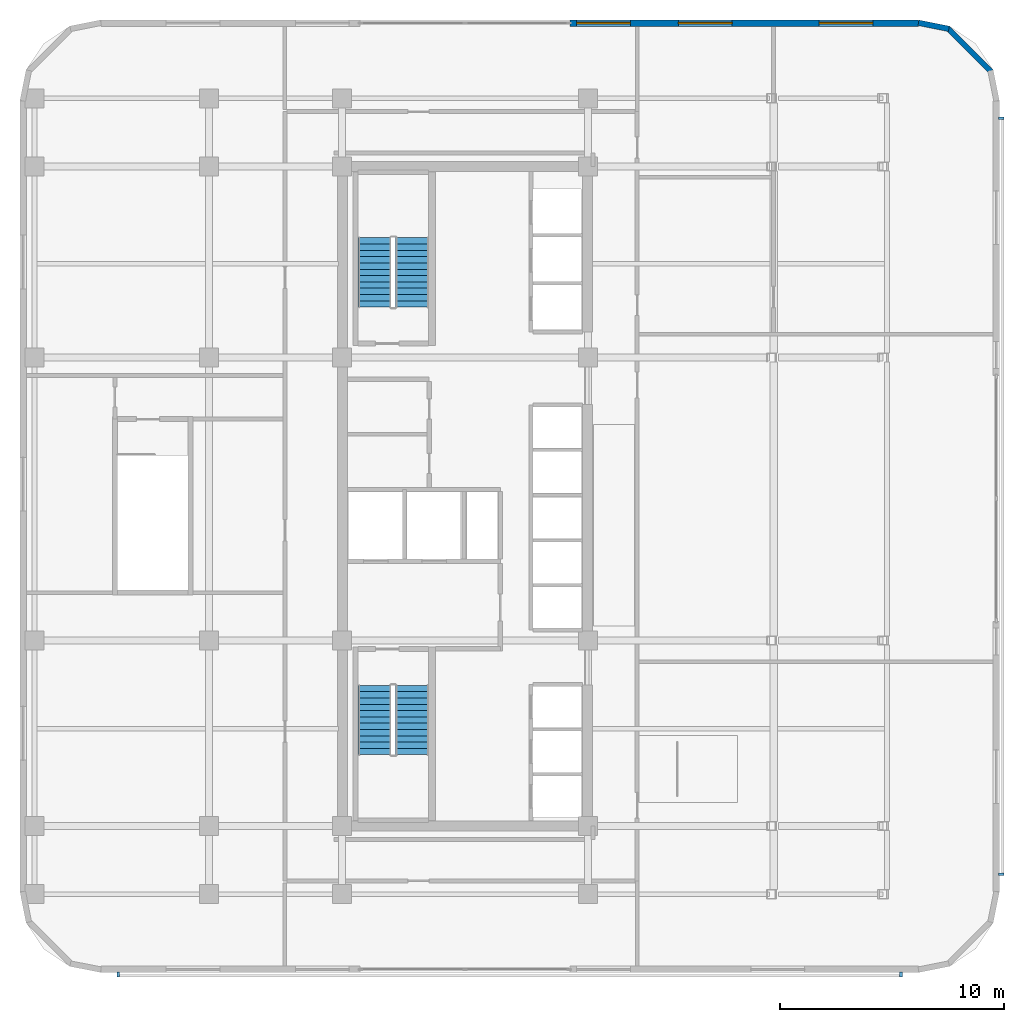
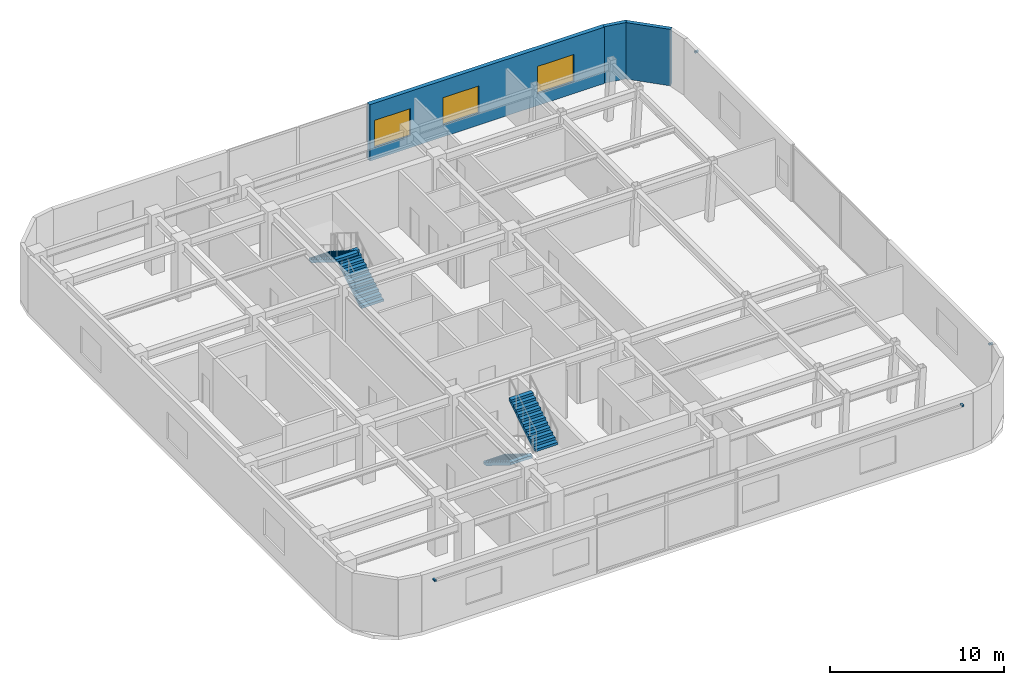
# One storey, part 9 of 13: 4 discrete accessories, 4 stair flights, 3 walls, 3 windows, 3 openings, 2 elements without a shape of their own.
"""IFC4 building model written with IfcOpenShell, lengths in metres."""

from ifc_helpers import new_model, si_unit, direction, frame, frame_2d, origin, origin_2d, place, context, subcontext, project, spatial, polyline, rectangle, outline, extrude, material, layer, layer_set, type_object, element, fill, aggregate, save


model = new_model("IFC4")

# Units and contexts
model_context = context("Model", 3, precision=1e-05, world=origin(), true_north=direction((0.0, 1.0)))
body_context = subcontext(model_context, "Body", "Model", "MODEL_VIEW")
ifc_project = project(units=[si_unit("LENGTHUNIT", "METRE"), si_unit("AREAUNIT", "SQUARE_METRE"), si_unit("VOLUMEUNIT", "CUBIC_METRE"), si_unit("PLANEANGLEUNIT", "RADIAN"), si_unit("MASSUNIT", "GRAM", prefix="KILO")], contexts=[model_context])

# Site, building, storey
site_placement = place(None, origin())
site = spatial("IfcSite", under=ifc_project, at=site_placement, CompositionType="ELEMENT")
building_placement = place(site_placement, origin())
building = spatial("IfcBuilding", under=site, at=building_placement, Name="Ochreholt Gables", CompositionType="ELEMENT")
storey_placement = place(building_placement, frame((0.0, 0.0, 98.39990234375)))
storey = spatial("IfcBuildingStorey", under=building, at=storey_placement, Name="L25", CompositionType="ELEMENT", Elevation=98.39990234375)

# Wall, openings, windows
ifc_material_1 = material(Name="Precast concrete 40 MPa", Category="concrete")
ifc_layer_1 = layer(ifc_material_1, 0.280029296875, Name="Precast concrete 40 MPa")
ifc_layer_set_1 = layer_set([ifc_layer_1], Name="Precast concrete 40 MPa")
wall_type_1 = type_object("IfcWallType", Name="WALL-EXT-280", PredefinedType="SOLIDWALL", material=ifc_layer_set_1)
wall_1_placement = place(storey_placement, frame((49.97998046875, 45.159912109375, 0.0), z_axis=(0.0, 0.0, 1.0), x_axis=(-1.0, 0.0, 0.0)))
wall_1 = element("IfcWall", 1, at=wall_1_placement, inside=storey, type_object=wall_type_1, Name="L25 North Facade Wall 1", PredefinedType="SOLIDWALL", context=body_context, shape_type="SweptSolid", body=[
    extrude(rectangle(XDim=15.580078125, YDim=0.280029296875, at=frame_2d((7.7900390625, 0.0))), origin(), (0.0, 0.0, 1.0), 3.960205078125),
])
opening_1_placement = place(wall_1_placement, frame((12.8798828125, 0.0, 0.85009765625)))
opening_1 = element("IfcOpeningElement", 2, at=opening_1_placement, cuts=wall_1, Name="Opening WN-5", PredefinedType="OPENING", context=body_context, shape_type="SweptSolid", body=[
    extrude(rectangle(XDim=2.39990234375, YDim=1.89990234375, at=frame_2d((1.199951171875, 0.949951171875))), frame((0.0, 0.14990234375, 0.0), z_axis=(0.0, -1.0, 0.0), x_axis=(1.0, 0.0, 0.0)), (0.0, 0.0, 1.0), 0.300048828125),
])
opening_2_placement = place(wall_1_placement, frame((8.330078125, 0.0, 0.85009765625)))
opening_2 = element("IfcOpeningElement", 3, at=opening_2_placement, cuts=wall_1, Name="Opening WN-5", PredefinedType="OPENING", context=body_context, shape_type="SweptSolid", body=[
    extrude(rectangle(XDim=2.39990234375, YDim=1.89990234375, at=frame_2d((1.199951171875, 0.949951171875))), frame((0.0, 0.14990234375, 0.0), z_axis=(0.0, -1.0, 0.0), x_axis=(1.0, 0.0, 0.0)), (0.0, 0.0, 1.0), 0.300048828125),
])
opening_3_placement = place(wall_1_placement, frame((2.0400390625, 0.0, 0.85009765625)))
opening_3 = element("IfcOpeningElement", 4, at=opening_3_placement, cuts=wall_1, Name="Opening WN-5", PredefinedType="OPENING", context=body_context, shape_type="SweptSolid", body=[
    extrude(rectangle(XDim=2.39990234375, YDim=1.89990234375, at=frame_2d((1.199951171875, 0.949951171875))), frame((0.0, 0.14990234375, 0.0), z_axis=(0.0, -1.0, 0.0), x_axis=(1.0, 0.0, 0.0)), (0.0, 0.0, 1.0), 0.300048828125),
])
ifc_material_2 = material(Name="Triple-Glazed Thermally Broken Aluminium Window", Category="aluminium")
window_type = type_object("IfcWindowType", Name="WIN-COM-2400", PartitioningType="SINGLE_PANEL", PredefinedType="WINDOW", material=ifc_material_2)
window_1_placement = place(opening_1_placement, origin())
window_1 = element("IfcWindow", 5, at=window_1_placement, inside=storey, type_object=window_type, Name="L25 Window W-EXT-N1-L25-1", OverallHeight=1.89990234375, OverallWidth=2.39990234375, PartitioningType="SINGLE_PANEL", PredefinedType="WINDOW", context=body_context, shape_type="SweptSolid", body=[
    extrude(rectangle(XDim=2.39990234375, YDim=1.89990234375, at=frame_2d((1.199951171875, 0.949951171875))), frame((0.0, 0.030029296875, 0.0), z_axis=(0.0, -1.0, 0.0), x_axis=(1.0, 0.0, 0.0)), (0.0, 0.0, 1.0), 0.06005859375),
])
fill(opening_1, window_1)
window_2_placement = place(opening_2_placement, origin())
window_2 = element("IfcWindow", 6, at=window_2_placement, inside=storey, type_object=window_type, Name="L25 Window W-EXT-N1-L25-2", OverallHeight=1.89990234375, OverallWidth=2.39990234375, PartitioningType="SINGLE_PANEL", PredefinedType="WINDOW", context=body_context, shape_type="SweptSolid", body=[
    extrude(rectangle(XDim=2.39990234375, YDim=1.89990234375, at=frame_2d((1.199951171875, 0.949951171875))), frame((0.0, 0.030029296875, 0.0), z_axis=(0.0, -1.0, 0.0), x_axis=(1.0, 0.0, 0.0)), (0.0, 0.0, 1.0), 0.06005859375),
])
fill(opening_2, window_2)
window_3_placement = place(opening_3_placement, origin())
window_3 = element("IfcWindow", 7, at=window_3_placement, inside=storey, type_object=window_type, Name="L25 Window W-EXT-N1-L25-3", OverallHeight=1.89990234375, OverallWidth=2.39990234375, PartitioningType="SINGLE_PANEL", PredefinedType="WINDOW", context=body_context, shape_type="SweptSolid", body=[
    extrude(rectangle(XDim=2.39990234375, YDim=1.89990234375, at=frame_2d((1.199951171875, 0.949951171875))), frame((0.0, 0.030029296875, 0.0), z_axis=(0.0, -1.0, 0.0), x_axis=(1.0, 0.0, 0.0)), (0.0, 0.0, 1.0), 0.06005859375),
])
fill(opening_3, window_3)

# Walls
ifc_layer_2 = layer(ifc_material_1, 0.25, Name="Precast concrete 40 MPa")
ifc_layer_set_2 = layer_set([ifc_layer_2], Name="Precast concrete 40 MPa")
wall_type_2 = type_object("IfcWallType", Name="WALL-EXT-CNR", PredefinedType="SOLIDWALL", material=ifc_layer_set_2)
wall_2_placement = place(storey_placement, frame((53.23193359375, 42.9951171875, 0.0), z_axis=(0.0, 0.0, 1.0), x_axis=(-0.707151344399, 0.707062215165, 0.0)))
element("IfcWall", 8, at=wall_2_placement, inside=storey, type_object=wall_type_2, Name="L25 Rounded Corner Wall NE-2", PredefinedType="SOLIDWALL", context=body_context, shape_type="SweptSolid", body=[
    extrude(rectangle(XDim=2.7392578125, YDim=0.25, at=frame_2d((1.36962890625, 0.0))), origin(), (0.0, 0.0, 1.0), 3.960205078125),
])
wall_3_placement = place(storey_placement, frame((51.345458984375, 44.905029296875, 0.0), z_axis=(0.0, 0.0, 1.0), x_axis=(-0.980809899341, 0.19496651342, 0.0)))
element("IfcWall", 9, at=wall_3_placement, inside=storey, type_object=wall_type_2, Name="L25 Rounded Corner Wall NE-3", PredefinedType="SOLIDWALL", context=body_context, shape_type="SweptSolid", body=[
    extrude(rectangle(XDim=1.388671875, YDim=0.25, at=frame_2d((0.6943359375, 0.0))), origin(), (0.0, 0.0, 1.0), 3.960205078125),
])

# Stair, stair flights
ifc_material_3 = material(Name="Concrete 40 MPa", Category="concrete")
stair_type_1 = type_object("IfcStairType", Name="STAIR-CORE-ST-1", PredefinedType="HALF_TURN_STAIR", material=ifc_material_3)
stair_1_placement = place(storey_placement, origin())
stair_1 = element("IfcStair", 10, at=stair_1_placement, inside=storey, type_object=stair_type_1, Name="L25 Core Exit Stair 1", PredefinedType="HALF_TURN_STAIR")
stair_flight_type = type_object("IfcStairFlightType", Name="FLIGHT-ST-1480-1750", PredefinedType="STRAIGHT", material=ifc_material_3)
stair_flight_1_placement = place(storey_placement, frame((25.659912109375, 15.5400390625, 0.0), z_axis=(0.0, 0.0, 1.0), x_axis=(0.0, -1.0, 0.0)))
stair_flight_1 = element("IfcStairFlight", 11, at=stair_flight_1_placement, type_object=stair_flight_type, Name="ST-1 flight 1", NumberOfRisers=12, NumberOfTreads=11, PredefinedType="STRAIGHT", RiserHeight=0.175, TreadLength=0.282, context=body_context, shape_type="SweptSolid", body=[
    extrude(outline(polyline([(0.0, 0.0), (0.0, 0.175048828125), (0.281982421875, 0.175048828125), (0.281982421875, 0.35009765625), (0.56396484375, 0.35009765625), (0.56396484375, 0.52490234375), (0.845947265625, 0.52490234375), (0.845947265625, 0.699951171875), (1.1279296875, 0.699951171875), (1.1279296875, 0.875), (1.409912109375, 0.875), (1.409912109375, 1.050048828125), (1.69189453125, 1.050048828125), (1.69189453125, 1.22509765625), (1.97412109375, 1.22509765625), (1.97412109375, 1.39990234375), (2.256103515625, 1.39990234375), (2.256103515625, 1.574951171875), (2.5380859375, 1.574951171875), (2.5380859375, 1.75), (2.820068359375, 1.75), (2.820068359375, 1.925048828125), (3.10205078125, 1.925048828125), (3.10205078125, 2.10009765625), (3.10205078125, 1.74853515625), (0.2841796875, 0.0), (0.0, 0.0)])), frame((0.0, 0.739990234375, 0.0), z_axis=(0.0, -1.0, 0.0), x_axis=(1.0, 0.0, 0.0)), (0.0, 0.0, 1.0), 1.47998046875),
])
stair_flight_2_placement = place(storey_placement, frame((27.340087890625, 12.43798828125, 2.10009765625), z_axis=(0.0, 0.0, 1.0), x_axis=(0.0, 1.0, 0.0)))
stair_flight_2 = element("IfcStairFlight", 12, at=stair_flight_2_placement, type_object=stair_flight_type, Name="ST-1 flight 2", NumberOfRisers=12, NumberOfTreads=11, PredefinedType="STRAIGHT", RiserHeight=0.175, TreadLength=0.282, context=body_context, shape_type="SweptSolid", body=[
    extrude(outline(polyline([(0.0, 0.0), (0.0, 0.175048828125), (0.281982421875, 0.175048828125), (0.281982421875, 0.35009765625), (0.56396484375, 0.35009765625), (0.56396484375, 0.52490234375), (0.845947265625, 0.52490234375), (0.845947265625, 0.699951171875), (1.1279296875, 0.699951171875), (1.1279296875, 0.875), (1.409912109375, 0.875), (1.409912109375, 1.050048828125), (1.69189453125, 1.050048828125), (1.69189453125, 1.22509765625), (1.97412109375, 1.22509765625), (1.97412109375, 1.39990234375), (2.256103515625, 1.39990234375), (2.256103515625, 1.574951171875), (2.5380859375, 1.574951171875), (2.5380859375, 1.75), (2.820068359375, 1.75), (2.820068359375, 1.925048828125), (3.10205078125, 1.925048828125), (3.10205078125, 2.10009765625), (3.10205078125, 1.74853515625), (0.2841796875, 0.0), (0.0, 0.0)])), frame((0.0, 0.739990234375, 0.0), z_axis=(0.0, -1.0, 0.0), x_axis=(1.0, 0.0, 0.0)), (0.0, 0.0, 1.0), 1.47998046875),
])
aggregate(stair_1, [stair_flight_1, stair_flight_2])

stair_type_2 = type_object("IfcStairType", Name="STAIR-CORE-ST-2", PredefinedType="HALF_TURN_STAIR", material=ifc_material_3)
stair_2_placement = place(storey_placement, origin())
stair_2 = element("IfcStair", 13, at=stair_2_placement, inside=storey, type_object=stair_type_2, Name="L25 Core Exit Stair 2", PredefinedType="HALF_TURN_STAIR")
stair_flight_3_placement = place(storey_placement, frame((27.340087890625, 32.4599609375, 0.0), z_axis=(0.0, 0.0, 1.0), x_axis=(0.0, 1.0, 0.0)))
stair_flight_3 = element("IfcStairFlight", 14, at=stair_flight_3_placement, type_object=stair_flight_type, Name="ST-2 flight 1", NumberOfRisers=12, NumberOfTreads=11, PredefinedType="STRAIGHT", RiserHeight=0.175, TreadLength=0.282, context=body_context, shape_type="SweptSolid", body=[
    extrude(outline(polyline([(0.0, 0.0), (0.0, 0.175048828125), (0.281982421875, 0.175048828125), (0.281982421875, 0.35009765625), (0.56396484375, 0.35009765625), (0.56396484375, 0.52490234375), (0.845947265625, 0.52490234375), (0.845947265625, 0.699951171875), (1.1279296875, 0.699951171875), (1.1279296875, 0.875), (1.409912109375, 0.875), (1.409912109375, 1.050048828125), (1.69189453125, 1.050048828125), (1.69189453125, 1.22509765625), (1.97412109375, 1.22509765625), (1.97412109375, 1.39990234375), (2.256103515625, 1.39990234375), (2.256103515625, 1.574951171875), (2.5380859375, 1.574951171875), (2.5380859375, 1.75), (2.820068359375, 1.75), (2.820068359375, 1.925048828125), (3.10205078125, 1.925048828125), (3.10205078125, 2.10009765625), (3.10205078125, 1.74853515625), (0.2841796875, 0.0), (0.0, 0.0)])), frame((0.0, 0.739990234375, 0.0), z_axis=(0.0, -1.0, 0.0), x_axis=(1.0, 0.0, 0.0)), (0.0, 0.0, 1.0), 1.47998046875),
])
stair_flight_4_placement = place(storey_placement, frame((25.659912109375, 35.56201171875, 2.10009765625), z_axis=(0.0, 0.0, 1.0), x_axis=(0.0, -1.0, 0.0)))
stair_flight_4 = element("IfcStairFlight", 15, at=stair_flight_4_placement, type_object=stair_flight_type, Name="ST-2 flight 2", NumberOfRisers=12, NumberOfTreads=11, PredefinedType="STRAIGHT", RiserHeight=0.175, TreadLength=0.282, context=body_context, shape_type="SweptSolid", body=[
    extrude(outline(polyline([(0.0, 0.0), (0.0, 0.175048828125), (0.281982421875, 0.175048828125), (0.281982421875, 0.35009765625), (0.56396484375, 0.35009765625), (0.56396484375, 0.52490234375), (0.845947265625, 0.52490234375), (0.845947265625, 0.699951171875), (1.1279296875, 0.699951171875), (1.1279296875, 0.875), (1.409912109375, 0.875), (1.409912109375, 1.050048828125), (1.69189453125, 1.050048828125), (1.69189453125, 1.22509765625), (1.97412109375, 1.22509765625), (1.97412109375, 1.39990234375), (2.256103515625, 1.39990234375), (2.256103515625, 1.574951171875), (2.5380859375, 1.574951171875), (2.5380859375, 1.75), (2.820068359375, 1.75), (2.820068359375, 1.925048828125), (3.10205078125, 1.925048828125), (3.10205078125, 2.10009765625), (3.10205078125, 1.74853515625), (0.2841796875, 0.0), (0.0, 0.0)])), frame((0.0, 0.739990234375, 0.0), z_axis=(0.0, -1.0, 0.0), x_axis=(1.0, 0.0, 0.0)), (0.0, 0.0, 1.0), 1.47998046875),
])
aggregate(stair_2, [stair_flight_3, stair_flight_4])

# Discrete accessories
ifc_material_4 = material(Name="Extruded Aluminium Standoff Bracket", Category="aluminium")
discrete_accessory_type = type_object("IfcDiscreteAccessoryType", Name="ACC-BRACKET-AL", PredefinedType="BRACKET", material=ifc_material_4)
for number, where, z_axis, x_axis, name in (
    (16, (14.199951171875, 2.610107421875, 3.380126953125), (0.0, 0.0, 1.0), (1.0, 0.0, 0.0), "L25 Baguette Standoff Bracket S1-1"),
    (17, (49.199951171875, 2.610107421875, 3.380126953125), (0.0, 0.0, 1.0), (1.0, 0.0, 0.0), "L25 Baguette Standoff Bracket S1-2"),
    (18, (53.68994140625, 7.10009765625, 3.380126953125), (0.0, 0.0, 1.0), (0.0, 1.0, 0.0), "L25 Baguette Standoff Bracket E1-1"),
    (19, (53.68994140625, 40.89990234375, 3.380126953125), (0.0, 0.0, 1.0), (0.0, 1.0, 0.0), "L25 Baguette Standoff Bracket E1-2"),
):
    element("IfcDiscreteAccessory", number, at=place(storey_placement, frame(where, z_axis=z_axis, x_axis=x_axis)), inside=storey, type_object=discrete_accessory_type, Name=name, PredefinedType="BRACKET", context=body_context, shape_type="SweptSolid", body=[
        extrude(rectangle(XDim=0.1201171875, YDim=0.239990234375, at=origin_2d()), origin(), (0.0, 0.0, 1.0), 0.1201171875),
    ])

save(model, "model.ifc")
